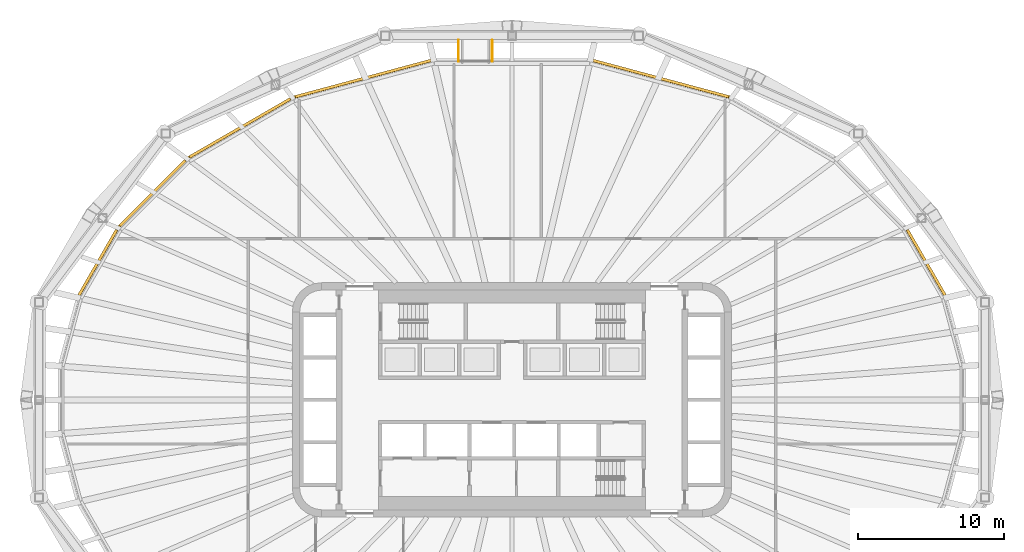
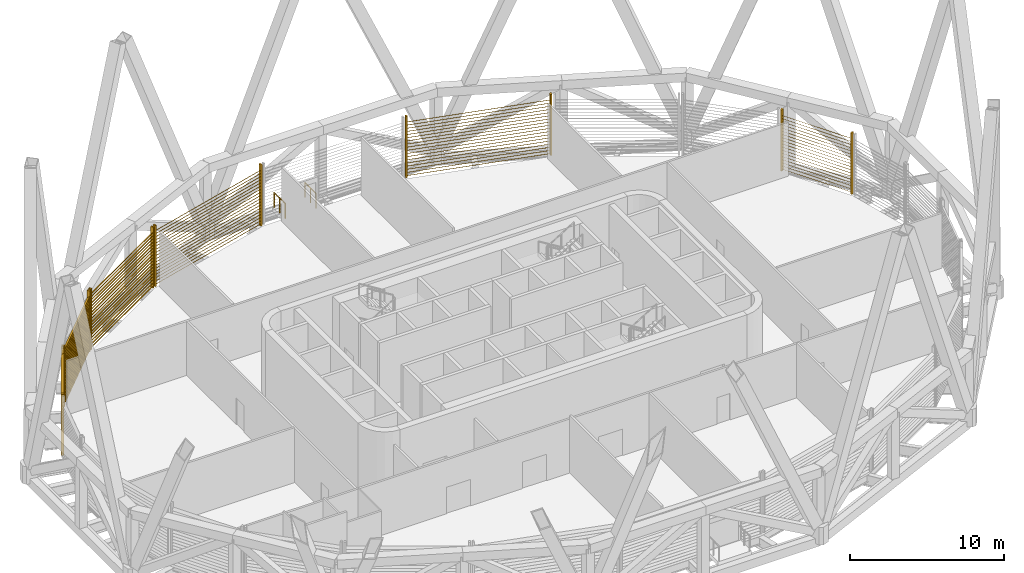
# One storey, part 16 of 18: 6 shading devices, 2 railings.
"""IFC4 building model written with IfcOpenShell, lengths in metres."""

from ifc_helpers import new_model, si_unit, direction, frame, origin, origin_2d, place, context, subcontext, project, spatial, rectangle, circle, extrude, material, type_object, element, save


model = new_model("IFC4")

# Units and contexts
model_context = context("Model", 3, precision=1e-05, world=origin(), true_north=direction((0.0, 1.0)))
body_context = subcontext(model_context, "Body", "Model", "MODEL_VIEW")
ifc_project = project(units=[si_unit("LENGTHUNIT", "METRE"), si_unit("AREAUNIT", "SQUARE_METRE"), si_unit("VOLUMEUNIT", "CUBIC_METRE"), si_unit("PLANEANGLEUNIT", "RADIAN"), si_unit("MASSUNIT", "GRAM", prefix="KILO")], contexts=[model_context])

# Site, building, storey
site_placement = place(None, origin())
site = spatial("IfcSite", under=ifc_project, at=site_placement, CompositionType="ELEMENT")
building_placement = place(site_placement, origin())
building = spatial("IfcBuilding", under=site, at=building_placement, Name="Sahrelin Media Tower", CompositionType="ELEMENT")
storey_placement = place(building_placement, frame((0.0, 0.0, 197.60009765625)))
storey = spatial("IfcBuildingStorey", under=building, at=storey_placement, Name="L42", CompositionType="ELEMENT", Elevation=197.60009765625)

# Railings
ifc_material_1 = material(Name="Stainless steel 316", Category="steel")
railing_type = type_object("IfcRailingType", Name="Maintenance platform guard", PredefinedType="GUARDRAIL", material=ifc_material_1)
for number, where, name in (
    (1, (-1.35009765625, 23.119140625, 0.0), "Maintenance platform guard L42-06-A"),
    (2, (-3.64990234375, 23.119140625, 0.0), "Maintenance platform guard L42-06-B"),
):
    element("IfcRailing", number, at=place(storey_placement, frame(where)), inside=storey, type_object=railing_type, Name=name, PredefinedType="GUARDRAIL", context=body_context, shape_type="SweptSolid", body=[
        extrude(circle(Radius=0.02392578125, at=origin_2d()), frame((0.0, 0.0, 1.17578125), z_axis=(0.0, 1.0, 0.0), x_axis=(-1.0, 0.0, 0.0)), (0.0, 0.0, 1.0), 1.43310546875),
        extrude(circle(Radius=0.02099609375, at=origin_2d()), origin(), (0.0, 0.0, 1.0), 1.15185546875),
        extrude(circle(Radius=0.02099609375, at=origin_2d()), frame((0.0, 0.716552734375, 0.0)), (0.0, 0.0, 1.0), 1.15185546875),
        extrude(circle(Radius=0.02099609375, at=origin_2d()), frame((0.0, 1.43310546875, 0.0)), (0.0, 0.0, 1.0), 1.15185546875),
    ])

# Shading devices
ifc_material_2 = material(Name="Champagne anodised aluminium 6063-T6", Category="aluminium")
shading_device_type = type_object("IfcShadingDeviceType", Name="Sand-rejection louvre band", PredefinedType="USERDEFINED", material=ifc_material_2)
shading_device_1_placement = place(storey_placement, frame((28.18408203125, 9.32470703125, 0.0), z_axis=(0.0, 0.0, 1.0), x_axis=(0.500011000363, -0.866019052629, 0.0)))
element("IfcShadingDevice", 3, at=shading_device_1_placement, inside=storey, type_object=shading_device_type, Name="L42:LOUVRE:L42-02", ObjectType="LOUVRE", PredefinedType="USERDEFINED", context=body_context, shape_type="SweptSolid", body=[
    extrude(rectangle(XDim=0.1201171875, YDim=0.199951171875, at=origin_2d()), frame((2.62890625, 0.10009765625, 0.050048828125), z_axis=(0.0, 0.0, 1.0), x_axis=(1.0, 0.0, 0.0)), (0.0, 0.0, 1.0), 4.8486328125),
    extrude(rectangle(XDim=0.1201171875, YDim=0.199951171875, at=origin_2d()), frame((-2.62890625, 0.10009765625, 0.050048828125), z_axis=(0.0, 0.0, 1.0), x_axis=(1.0, 0.0, 0.0)), (0.0, 0.0, 1.0), 4.8486328125),
    extrude(rectangle(XDim=0.25, YDim=0.02001953125, at=origin_2d()), frame((2.569091796875, 0.10009765625, 0.14990234375), z_axis=(-1.0, 0.0, 0.0), x_axis=(0.0, -0.766044443119, 0.642787609687)), (0.0, 0.0, 1.0), 5.13818359375),
    extrude(rectangle(XDim=0.25, YDim=0.02001953125, at=origin_2d()), frame((2.569091796875, 0.10009765625, 0.39990234375), z_axis=(-1.0, 0.0, 0.0), x_axis=(0.0, -0.766044443119, 0.642787609687)), (0.0, 0.0, 1.0), 5.13818359375),
    extrude(rectangle(XDim=0.25, YDim=0.02001953125, at=origin_2d()), frame((2.569091796875, 0.10009765625, 0.64990234375), z_axis=(-1.0, 0.0, 0.0), x_axis=(0.0, -0.766044443119, 0.642787609687)), (0.0, 0.0, 1.0), 5.13818359375),
    extrude(rectangle(XDim=0.25, YDim=0.02001953125, at=origin_2d()), frame((2.569091796875, 0.10009765625, 0.89990234375), z_axis=(-1.0, 0.0, 0.0), x_axis=(0.0, -0.766044443119, 0.642787609687)), (0.0, 0.0, 1.0), 5.13818359375),
    extrude(rectangle(XDim=0.25, YDim=0.02001953125, at=origin_2d()), frame((2.569091796875, 0.10009765625, 1.14990234375), z_axis=(-1.0, 0.0, 0.0), x_axis=(0.0, -0.766044443119, 0.642787609687)), (0.0, 0.0, 1.0), 5.13818359375),
    extrude(rectangle(XDim=0.25, YDim=0.02001953125, at=origin_2d()), frame((2.569091796875, 0.10009765625, 1.39990234375), z_axis=(-1.0, 0.0, 0.0), x_axis=(0.0, -0.766044443119, 0.642787609687)), (0.0, 0.0, 1.0), 5.13818359375),
    extrude(rectangle(XDim=0.25, YDim=0.02001953125, at=origin_2d()), frame((2.569091796875, 0.10009765625, 1.64990234375), z_axis=(-1.0, 0.0, 0.0), x_axis=(0.0, -0.766044443119, 0.642787609687)), (0.0, 0.0, 1.0), 5.13818359375),
    extrude(rectangle(XDim=0.25, YDim=0.02001953125, at=origin_2d()), frame((2.569091796875, 0.10009765625, 1.89990234375), z_axis=(-1.0, 0.0, 0.0), x_axis=(0.0, -0.766044443119, 0.642787609687)), (0.0, 0.0, 1.0), 5.13818359375),
    extrude(rectangle(XDim=0.25, YDim=0.02001953125, at=origin_2d()), frame((2.569091796875, 0.10009765625, 2.14990234375), z_axis=(-1.0, 0.0, 0.0), x_axis=(0.0, -0.766044443119, 0.642787609687)), (0.0, 0.0, 1.0), 5.13818359375),
    extrude(rectangle(XDim=0.25, YDim=0.02001953125, at=origin_2d()), frame((2.569091796875, 0.10009765625, 2.39990234375), z_axis=(-1.0, 0.0, 0.0), x_axis=(0.0, -0.766044443119, 0.642787609687)), (0.0, 0.0, 1.0), 5.13818359375),
    extrude(rectangle(XDim=0.25, YDim=0.02001953125, at=origin_2d()), frame((2.569091796875, 0.10009765625, 2.64990234375), z_axis=(-1.0, 0.0, 0.0), x_axis=(0.0, -0.766044443119, 0.642787609687)), (0.0, 0.0, 1.0), 5.13818359375),
    extrude(rectangle(XDim=0.25, YDim=0.02001953125, at=origin_2d()), frame((2.569091796875, 0.10009765625, 2.89990234375), z_axis=(-1.0, 0.0, 0.0), x_axis=(0.0, -0.766044443119, 0.642787609687)), (0.0, 0.0, 1.0), 5.13818359375),
    extrude(rectangle(XDim=0.25, YDim=0.02001953125, at=origin_2d()), frame((2.569091796875, 0.10009765625, 3.14990234375), z_axis=(-1.0, 0.0, 0.0), x_axis=(0.0, -0.766044443119, 0.642787609687)), (0.0, 0.0, 1.0), 5.13818359375),
    extrude(rectangle(XDim=0.25, YDim=0.02001953125, at=origin_2d()), frame((2.569091796875, 0.10009765625, 3.39990234375), z_axis=(-1.0, 0.0, 0.0), x_axis=(0.0, -0.766044443119, 0.642787609687)), (0.0, 0.0, 1.0), 5.13818359375),
    extrude(rectangle(XDim=0.25, YDim=0.02001953125, at=origin_2d()), frame((2.569091796875, 0.10009765625, 3.64990234375), z_axis=(-1.0, 0.0, 0.0), x_axis=(0.0, -0.766044443119, 0.642787609687)), (0.0, 0.0, 1.0), 5.13818359375),
    extrude(rectangle(XDim=0.25, YDim=0.02001953125, at=origin_2d()), frame((2.569091796875, 0.10009765625, 3.89990234375), z_axis=(-1.0, 0.0, 0.0), x_axis=(0.0, -0.766044443119, 0.642787609687)), (0.0, 0.0, 1.0), 5.13818359375),
    extrude(rectangle(XDim=0.25, YDim=0.02001953125, at=origin_2d()), frame((2.569091796875, 0.10009765625, 4.14990234375), z_axis=(-1.0, 0.0, 0.0), x_axis=(0.0, -0.766044443119, 0.642787609687)), (0.0, 0.0, 1.0), 5.13818359375),
    extrude(rectangle(XDim=0.25, YDim=0.02001953125, at=origin_2d()), frame((2.569091796875, 0.10009765625, 4.39990234375), z_axis=(-1.0, 0.0, 0.0), x_axis=(0.0, -0.766044443119, 0.642787609687)), (0.0, 0.0, 1.0), 5.13818359375),
])
shading_device_2_placement = place(storey_placement, frame((10.13037109375, 21.83349609375, 0.0), z_axis=(0.0, 0.0, 1.0), x_axis=(0.965928857556, -0.258807731996, 0.0)))
element("IfcShadingDevice", 4, at=shading_device_2_placement, inside=storey, type_object=shading_device_type, Name="L42:LOUVRE:L42-05", ObjectType="LOUVRE", PredefinedType="USERDEFINED", context=body_context, shape_type="SweptSolid", body=[
    extrude(rectangle(XDim=0.1201171875, YDim=0.199951171875, at=origin_2d()), frame((4.857177734375, 0.10009765625, 0.050048828125), z_axis=(0.0, 0.0, 1.0), x_axis=(1.0, 0.0, 0.0)), (0.0, 0.0, 1.0), 4.8486328125),
    extrude(rectangle(XDim=0.1201171875, YDim=0.199951171875, at=origin_2d()), frame((-4.857177734375, 0.10009765625, 0.050048828125), z_axis=(0.0, 0.0, 1.0), x_axis=(1.0, 0.0, 0.0)), (0.0, 0.0, 1.0), 4.8486328125),
    extrude(rectangle(XDim=0.25, YDim=0.02001953125, at=origin_2d()), frame((4.797119140625, 0.10009765625, 0.14990234375), z_axis=(-1.0, 0.0, 0.0), x_axis=(0.0, -0.766044443119, 0.642787609687)), (0.0, 0.0, 1.0), 9.59423828125),
    extrude(rectangle(XDim=0.25, YDim=0.02001953125, at=origin_2d()), frame((4.797119140625, 0.10009765625, 0.39990234375), z_axis=(-1.0, 0.0, 0.0), x_axis=(0.0, -0.766044443119, 0.642787609687)), (0.0, 0.0, 1.0), 9.59423828125),
    extrude(rectangle(XDim=0.25, YDim=0.02001953125, at=origin_2d()), frame((4.797119140625, 0.10009765625, 0.64990234375), z_axis=(-1.0, 0.0, 0.0), x_axis=(0.0, -0.766044443119, 0.642787609687)), (0.0, 0.0, 1.0), 9.59423828125),
    extrude(rectangle(XDim=0.25, YDim=0.02001953125, at=origin_2d()), frame((4.797119140625, 0.10009765625, 0.89990234375), z_axis=(-1.0, 0.0, 0.0), x_axis=(0.0, -0.766044443119, 0.642787609687)), (0.0, 0.0, 1.0), 9.59423828125),
    extrude(rectangle(XDim=0.25, YDim=0.02001953125, at=origin_2d()), frame((4.797119140625, 0.10009765625, 1.14990234375), z_axis=(-1.0, 0.0, 0.0), x_axis=(0.0, -0.766044443119, 0.642787609687)), (0.0, 0.0, 1.0), 9.59423828125),
    extrude(rectangle(XDim=0.25, YDim=0.02001953125, at=origin_2d()), frame((4.797119140625, 0.10009765625, 1.39990234375), z_axis=(-1.0, 0.0, 0.0), x_axis=(0.0, -0.766044443119, 0.642787609687)), (0.0, 0.0, 1.0), 9.59423828125),
    extrude(rectangle(XDim=0.25, YDim=0.02001953125, at=origin_2d()), frame((4.797119140625, 0.10009765625, 1.64990234375), z_axis=(-1.0, 0.0, 0.0), x_axis=(0.0, -0.766044443119, 0.642787609687)), (0.0, 0.0, 1.0), 9.59423828125),
    extrude(rectangle(XDim=0.25, YDim=0.02001953125, at=origin_2d()), frame((4.797119140625, 0.10009765625, 1.89990234375), z_axis=(-1.0, 0.0, 0.0), x_axis=(0.0, -0.766044443119, 0.642787609687)), (0.0, 0.0, 1.0), 9.59423828125),
    extrude(rectangle(XDim=0.25, YDim=0.02001953125, at=origin_2d()), frame((4.797119140625, 0.10009765625, 2.14990234375), z_axis=(-1.0, 0.0, 0.0), x_axis=(0.0, -0.766044443119, 0.642787609687)), (0.0, 0.0, 1.0), 9.59423828125),
    extrude(rectangle(XDim=0.25, YDim=0.02001953125, at=origin_2d()), frame((4.797119140625, 0.10009765625, 2.39990234375), z_axis=(-1.0, 0.0, 0.0), x_axis=(0.0, -0.766044443119, 0.642787609687)), (0.0, 0.0, 1.0), 9.59423828125),
    extrude(rectangle(XDim=0.25, YDim=0.02001953125, at=origin_2d()), frame((4.797119140625, 0.10009765625, 2.64990234375), z_axis=(-1.0, 0.0, 0.0), x_axis=(0.0, -0.766044443119, 0.642787609687)), (0.0, 0.0, 1.0), 9.59423828125),
    extrude(rectangle(XDim=0.25, YDim=0.02001953125, at=origin_2d()), frame((4.797119140625, 0.10009765625, 2.89990234375), z_axis=(-1.0, 0.0, 0.0), x_axis=(0.0, -0.766044443119, 0.642787609687)), (0.0, 0.0, 1.0), 9.59423828125),
    extrude(rectangle(XDim=0.25, YDim=0.02001953125, at=origin_2d()), frame((4.797119140625, 0.10009765625, 3.14990234375), z_axis=(-1.0, 0.0, 0.0), x_axis=(0.0, -0.766044443119, 0.642787609687)), (0.0, 0.0, 1.0), 9.59423828125),
    extrude(rectangle(XDim=0.25, YDim=0.02001953125, at=origin_2d()), frame((4.797119140625, 0.10009765625, 3.39990234375), z_axis=(-1.0, 0.0, 0.0), x_axis=(0.0, -0.766044443119, 0.642787609687)), (0.0, 0.0, 1.0), 9.59423828125),
    extrude(rectangle(XDim=0.25, YDim=0.02001953125, at=origin_2d()), frame((4.797119140625, 0.10009765625, 3.64990234375), z_axis=(-1.0, 0.0, 0.0), x_axis=(0.0, -0.766044443119, 0.642787609687)), (0.0, 0.0, 1.0), 9.59423828125),
    extrude(rectangle(XDim=0.25, YDim=0.02001953125, at=origin_2d()), frame((4.797119140625, 0.10009765625, 3.89990234375), z_axis=(-1.0, 0.0, 0.0), x_axis=(0.0, -0.766044443119, 0.642787609687)), (0.0, 0.0, 1.0), 9.59423828125),
    extrude(rectangle(XDim=0.25, YDim=0.02001953125, at=origin_2d()), frame((4.797119140625, 0.10009765625, 4.14990234375), z_axis=(-1.0, 0.0, 0.0), x_axis=(0.0, -0.766044443119, 0.642787609687)), (0.0, 0.0, 1.0), 9.59423828125),
    extrude(rectangle(XDim=0.25, YDim=0.02001953125, at=origin_2d()), frame((4.797119140625, 0.10009765625, 4.39990234375), z_axis=(-1.0, 0.0, 0.0), x_axis=(0.0, -0.766044443119, 0.642787609687)), (0.0, 0.0, 1.0), 9.59423828125),
])
shading_device_3_placement = place(storey_placement, frame((-10.13037109375, 21.83349609375, 0.0), z_axis=(0.0, 0.0, 1.0), x_axis=(0.965928857556, 0.258807731996, 0.0)))
element("IfcShadingDevice", 5, at=shading_device_3_placement, inside=storey, type_object=shading_device_type, Name="L42:LOUVRE:L42-07", ObjectType="LOUVRE", PredefinedType="USERDEFINED", context=body_context, shape_type="SweptSolid", body=[
    extrude(rectangle(XDim=0.1201171875, YDim=0.199951171875, at=origin_2d()), frame((4.857177734375, 0.10009765625, 0.050048828125), z_axis=(0.0, 0.0, 1.0), x_axis=(1.0, 0.0, 0.0)), (0.0, 0.0, 1.0), 4.8486328125),
    extrude(rectangle(XDim=0.1201171875, YDim=0.199951171875, at=origin_2d()), frame((-4.857177734375, 0.10009765625, 0.050048828125), z_axis=(0.0, 0.0, 1.0), x_axis=(1.0, 0.0, 0.0)), (0.0, 0.0, 1.0), 4.8486328125),
    extrude(rectangle(XDim=0.25, YDim=0.02001953125, at=origin_2d()), frame((4.797119140625, 0.10009765625, 0.14990234375), z_axis=(-1.0, 0.0, 0.0), x_axis=(0.0, -0.766044443119, 0.642787609687)), (0.0, 0.0, 1.0), 9.59423828125),
    extrude(rectangle(XDim=0.25, YDim=0.02001953125, at=origin_2d()), frame((4.797119140625, 0.10009765625, 0.39990234375), z_axis=(-1.0, 0.0, 0.0), x_axis=(0.0, -0.766044443119, 0.642787609687)), (0.0, 0.0, 1.0), 9.59423828125),
    extrude(rectangle(XDim=0.25, YDim=0.02001953125, at=origin_2d()), frame((4.797119140625, 0.10009765625, 0.64990234375), z_axis=(-1.0, 0.0, 0.0), x_axis=(0.0, -0.766044443119, 0.642787609687)), (0.0, 0.0, 1.0), 9.59423828125),
    extrude(rectangle(XDim=0.25, YDim=0.02001953125, at=origin_2d()), frame((4.797119140625, 0.10009765625, 0.89990234375), z_axis=(-1.0, 0.0, 0.0), x_axis=(0.0, -0.766044443119, 0.642787609687)), (0.0, 0.0, 1.0), 9.59423828125),
    extrude(rectangle(XDim=0.25, YDim=0.02001953125, at=origin_2d()), frame((4.797119140625, 0.10009765625, 1.14990234375), z_axis=(-1.0, 0.0, 0.0), x_axis=(0.0, -0.766044443119, 0.642787609687)), (0.0, 0.0, 1.0), 9.59423828125),
    extrude(rectangle(XDim=0.25, YDim=0.02001953125, at=origin_2d()), frame((4.797119140625, 0.10009765625, 1.39990234375), z_axis=(-1.0, 0.0, 0.0), x_axis=(0.0, -0.766044443119, 0.642787609687)), (0.0, 0.0, 1.0), 9.59423828125),
    extrude(rectangle(XDim=0.25, YDim=0.02001953125, at=origin_2d()), frame((4.797119140625, 0.10009765625, 1.64990234375), z_axis=(-1.0, 0.0, 0.0), x_axis=(0.0, -0.766044443119, 0.642787609687)), (0.0, 0.0, 1.0), 9.59423828125),
    extrude(rectangle(XDim=0.25, YDim=0.02001953125, at=origin_2d()), frame((4.797119140625, 0.10009765625, 1.89990234375), z_axis=(-1.0, 0.0, 0.0), x_axis=(0.0, -0.766044443119, 0.642787609687)), (0.0, 0.0, 1.0), 9.59423828125),
    extrude(rectangle(XDim=0.25, YDim=0.02001953125, at=origin_2d()), frame((4.797119140625, 0.10009765625, 2.14990234375), z_axis=(-1.0, 0.0, 0.0), x_axis=(0.0, -0.766044443119, 0.642787609687)), (0.0, 0.0, 1.0), 9.59423828125),
    extrude(rectangle(XDim=0.25, YDim=0.02001953125, at=origin_2d()), frame((4.797119140625, 0.10009765625, 2.39990234375), z_axis=(-1.0, 0.0, 0.0), x_axis=(0.0, -0.766044443119, 0.642787609687)), (0.0, 0.0, 1.0), 9.59423828125),
    extrude(rectangle(XDim=0.25, YDim=0.02001953125, at=origin_2d()), frame((4.797119140625, 0.10009765625, 2.64990234375), z_axis=(-1.0, 0.0, 0.0), x_axis=(0.0, -0.766044443119, 0.642787609687)), (0.0, 0.0, 1.0), 9.59423828125),
    extrude(rectangle(XDim=0.25, YDim=0.02001953125, at=origin_2d()), frame((4.797119140625, 0.10009765625, 2.89990234375), z_axis=(-1.0, 0.0, 0.0), x_axis=(0.0, -0.766044443119, 0.642787609687)), (0.0, 0.0, 1.0), 9.59423828125),
    extrude(rectangle(XDim=0.25, YDim=0.02001953125, at=origin_2d()), frame((4.797119140625, 0.10009765625, 3.14990234375), z_axis=(-1.0, 0.0, 0.0), x_axis=(0.0, -0.766044443119, 0.642787609687)), (0.0, 0.0, 1.0), 9.59423828125),
    extrude(rectangle(XDim=0.25, YDim=0.02001953125, at=origin_2d()), frame((4.797119140625, 0.10009765625, 3.39990234375), z_axis=(-1.0, 0.0, 0.0), x_axis=(0.0, -0.766044443119, 0.642787609687)), (0.0, 0.0, 1.0), 9.59423828125),
    extrude(rectangle(XDim=0.25, YDim=0.02001953125, at=origin_2d()), frame((4.797119140625, 0.10009765625, 3.64990234375), z_axis=(-1.0, 0.0, 0.0), x_axis=(0.0, -0.766044443119, 0.642787609687)), (0.0, 0.0, 1.0), 9.59423828125),
    extrude(rectangle(XDim=0.25, YDim=0.02001953125, at=origin_2d()), frame((4.797119140625, 0.10009765625, 3.89990234375), z_axis=(-1.0, 0.0, 0.0), x_axis=(0.0, -0.766044443119, 0.642787609687)), (0.0, 0.0, 1.0), 9.59423828125),
    extrude(rectangle(XDim=0.25, YDim=0.02001953125, at=origin_2d()), frame((4.797119140625, 0.10009765625, 4.14990234375), z_axis=(-1.0, 0.0, 0.0), x_axis=(0.0, -0.766044443119, 0.642787609687)), (0.0, 0.0, 1.0), 9.59423828125),
    extrude(rectangle(XDim=0.25, YDim=0.02001953125, at=origin_2d()), frame((4.797119140625, 0.10009765625, 4.39990234375), z_axis=(-1.0, 0.0, 0.0), x_axis=(0.0, -0.766044443119, 0.642787609687)), (0.0, 0.0, 1.0), 9.59423828125),
])
shading_device_4_placement = place(storey_placement, frame((-18.518798828125, 18.47509765625, 0.0), z_axis=(0.0, 0.0, 1.0), x_axis=(0.866019052629, 0.500011000363, 0.0)))
element("IfcShadingDevice", 6, at=shading_device_4_placement, inside=storey, type_object=shading_device_type, Name="L42:LOUVRE:L42-08", ObjectType="LOUVRE", PredefinedType="USERDEFINED", context=body_context, shape_type="SweptSolid", body=[
    extrude(rectangle(XDim=0.1201171875, YDim=0.199951171875, at=origin_2d()), frame((4.035888671875, 0.10009765625, 0.050048828125), z_axis=(0.0, 0.0, 1.0), x_axis=(1.0, 0.0, 0.0)), (0.0, 0.0, 1.0), 4.8486328125),
    extrude(rectangle(XDim=0.1201171875, YDim=0.199951171875, at=origin_2d()), frame((-4.035888671875, 0.10009765625, 0.050048828125), z_axis=(0.0, 0.0, 1.0), x_axis=(1.0, 0.0, 0.0)), (0.0, 0.0, 1.0), 4.8486328125),
    extrude(rectangle(XDim=0.25, YDim=0.02001953125, at=origin_2d()), frame((3.975830078125, 0.10009765625, 0.14990234375), z_axis=(-1.0, 0.0, 0.0), x_axis=(0.0, -0.766044443119, 0.642787609687)), (0.0, 0.0, 1.0), 7.95166015625),
    extrude(rectangle(XDim=0.25, YDim=0.02001953125, at=origin_2d()), frame((3.975830078125, 0.10009765625, 0.39990234375), z_axis=(-1.0, 0.0, 0.0), x_axis=(0.0, -0.766044443119, 0.642787609687)), (0.0, 0.0, 1.0), 7.95166015625),
    extrude(rectangle(XDim=0.25, YDim=0.02001953125, at=origin_2d()), frame((3.975830078125, 0.10009765625, 0.64990234375), z_axis=(-1.0, 0.0, 0.0), x_axis=(0.0, -0.766044443119, 0.642787609687)), (0.0, 0.0, 1.0), 7.95166015625),
    extrude(rectangle(XDim=0.25, YDim=0.02001953125, at=origin_2d()), frame((3.975830078125, 0.10009765625, 0.89990234375), z_axis=(-1.0, 0.0, 0.0), x_axis=(0.0, -0.766044443119, 0.642787609687)), (0.0, 0.0, 1.0), 7.95166015625),
    extrude(rectangle(XDim=0.25, YDim=0.02001953125, at=origin_2d()), frame((3.975830078125, 0.10009765625, 1.14990234375), z_axis=(-1.0, 0.0, 0.0), x_axis=(0.0, -0.766044443119, 0.642787609687)), (0.0, 0.0, 1.0), 7.95166015625),
    extrude(rectangle(XDim=0.25, YDim=0.02001953125, at=origin_2d()), frame((3.975830078125, 0.10009765625, 1.39990234375), z_axis=(-1.0, 0.0, 0.0), x_axis=(0.0, -0.766044443119, 0.642787609687)), (0.0, 0.0, 1.0), 7.95166015625),
    extrude(rectangle(XDim=0.25, YDim=0.02001953125, at=origin_2d()), frame((3.975830078125, 0.10009765625, 1.64990234375), z_axis=(-1.0, 0.0, 0.0), x_axis=(0.0, -0.766044443119, 0.642787609687)), (0.0, 0.0, 1.0), 7.95166015625),
    extrude(rectangle(XDim=0.25, YDim=0.02001953125, at=origin_2d()), frame((3.975830078125, 0.10009765625, 1.89990234375), z_axis=(-1.0, 0.0, 0.0), x_axis=(0.0, -0.766044443119, 0.642787609687)), (0.0, 0.0, 1.0), 7.95166015625),
    extrude(rectangle(XDim=0.25, YDim=0.02001953125, at=origin_2d()), frame((3.975830078125, 0.10009765625, 2.14990234375), z_axis=(-1.0, 0.0, 0.0), x_axis=(0.0, -0.766044443119, 0.642787609687)), (0.0, 0.0, 1.0), 7.95166015625),
    extrude(rectangle(XDim=0.25, YDim=0.02001953125, at=origin_2d()), frame((3.975830078125, 0.10009765625, 2.39990234375), z_axis=(-1.0, 0.0, 0.0), x_axis=(0.0, -0.766044443119, 0.642787609687)), (0.0, 0.0, 1.0), 7.95166015625),
    extrude(rectangle(XDim=0.25, YDim=0.02001953125, at=origin_2d()), frame((3.975830078125, 0.10009765625, 2.64990234375), z_axis=(-1.0, 0.0, 0.0), x_axis=(0.0, -0.766044443119, 0.642787609687)), (0.0, 0.0, 1.0), 7.95166015625),
    extrude(rectangle(XDim=0.25, YDim=0.02001953125, at=origin_2d()), frame((3.975830078125, 0.10009765625, 2.89990234375), z_axis=(-1.0, 0.0, 0.0), x_axis=(0.0, -0.766044443119, 0.642787609687)), (0.0, 0.0, 1.0), 7.95166015625),
    extrude(rectangle(XDim=0.25, YDim=0.02001953125, at=origin_2d()), frame((3.975830078125, 0.10009765625, 3.14990234375), z_axis=(-1.0, 0.0, 0.0), x_axis=(0.0, -0.766044443119, 0.642787609687)), (0.0, 0.0, 1.0), 7.95166015625),
    extrude(rectangle(XDim=0.25, YDim=0.02001953125, at=origin_2d()), frame((3.975830078125, 0.10009765625, 3.39990234375), z_axis=(-1.0, 0.0, 0.0), x_axis=(0.0, -0.766044443119, 0.642787609687)), (0.0, 0.0, 1.0), 7.95166015625),
    extrude(rectangle(XDim=0.25, YDim=0.02001953125, at=origin_2d()), frame((3.975830078125, 0.10009765625, 3.64990234375), z_axis=(-1.0, 0.0, 0.0), x_axis=(0.0, -0.766044443119, 0.642787609687)), (0.0, 0.0, 1.0), 7.95166015625),
    extrude(rectangle(XDim=0.25, YDim=0.02001953125, at=origin_2d()), frame((3.975830078125, 0.10009765625, 3.89990234375), z_axis=(-1.0, 0.0, 0.0), x_axis=(0.0, -0.766044443119, 0.642787609687)), (0.0, 0.0, 1.0), 7.95166015625),
    extrude(rectangle(XDim=0.25, YDim=0.02001953125, at=origin_2d()), frame((3.975830078125, 0.10009765625, 4.14990234375), z_axis=(-1.0, 0.0, 0.0), x_axis=(0.0, -0.766044443119, 0.642787609687)), (0.0, 0.0, 1.0), 7.95166015625),
    extrude(rectangle(XDim=0.25, YDim=0.02001953125, at=origin_2d()), frame((3.975830078125, 0.10009765625, 4.39990234375), z_axis=(-1.0, 0.0, 0.0), x_axis=(0.0, -0.766044443119, 0.642787609687)), (0.0, 0.0, 1.0), 7.95166015625),
])
shading_device_5_placement = place(storey_placement, frame((-24.4619140625, 14.04931640625, 0.0), z_axis=(0.0, 0.0, 1.0), x_axis=(0.707106781187, 0.707106781187, 0.0)))
element("IfcShadingDevice", 7, at=shading_device_5_placement, inside=storey, type_object=shading_device_type, Name="L42:LOUVRE:L42-09", ObjectType="LOUVRE", PredefinedType="USERDEFINED", context=body_context, shape_type="SweptSolid", body=[
    extrude(rectangle(XDim=0.1201171875, YDim=0.199951171875, at=origin_2d()), frame((3.21728515625, 0.10009765625, 0.050048828125), z_axis=(0.0, 0.0, 1.0), x_axis=(1.0, 0.0, 0.0)), (0.0, 0.0, 1.0), 4.8486328125),
    extrude(rectangle(XDim=0.1201171875, YDim=0.199951171875, at=origin_2d()), frame((-3.21728515625, 0.10009765625, 0.050048828125), z_axis=(0.0, 0.0, 1.0), x_axis=(1.0, 0.0, 0.0)), (0.0, 0.0, 1.0), 4.8486328125),
    extrude(rectangle(XDim=0.25, YDim=0.02001953125, at=origin_2d()), frame((3.1572265625, 0.10009765625, 0.14990234375), z_axis=(-1.0, 0.0, 0.0), x_axis=(0.0, -0.766044443119, 0.642787609687)), (0.0, 0.0, 1.0), 6.314453125),
    extrude(rectangle(XDim=0.25, YDim=0.02001953125, at=origin_2d()), frame((3.1572265625, 0.10009765625, 0.39990234375), z_axis=(-1.0, 0.0, 0.0), x_axis=(0.0, -0.766044443119, 0.642787609687)), (0.0, 0.0, 1.0), 6.314453125),
    extrude(rectangle(XDim=0.25, YDim=0.02001953125, at=origin_2d()), frame((3.1572265625, 0.10009765625, 0.64990234375), z_axis=(-1.0, 0.0, 0.0), x_axis=(0.0, -0.766044443119, 0.642787609687)), (0.0, 0.0, 1.0), 6.314453125),
    extrude(rectangle(XDim=0.25, YDim=0.02001953125, at=origin_2d()), frame((3.1572265625, 0.10009765625, 0.89990234375), z_axis=(-1.0, 0.0, 0.0), x_axis=(0.0, -0.766044443119, 0.642787609687)), (0.0, 0.0, 1.0), 6.314453125),
    extrude(rectangle(XDim=0.25, YDim=0.02001953125, at=origin_2d()), frame((3.1572265625, 0.10009765625, 1.14990234375), z_axis=(-1.0, 0.0, 0.0), x_axis=(0.0, -0.766044443119, 0.642787609687)), (0.0, 0.0, 1.0), 6.314453125),
    extrude(rectangle(XDim=0.25, YDim=0.02001953125, at=origin_2d()), frame((3.1572265625, 0.10009765625, 1.39990234375), z_axis=(-1.0, 0.0, 0.0), x_axis=(0.0, -0.766044443119, 0.642787609687)), (0.0, 0.0, 1.0), 6.314453125),
    extrude(rectangle(XDim=0.25, YDim=0.02001953125, at=origin_2d()), frame((3.1572265625, 0.10009765625, 1.64990234375), z_axis=(-1.0, 0.0, 0.0), x_axis=(0.0, -0.766044443119, 0.642787609687)), (0.0, 0.0, 1.0), 6.314453125),
    extrude(rectangle(XDim=0.25, YDim=0.02001953125, at=origin_2d()), frame((3.1572265625, 0.10009765625, 1.89990234375), z_axis=(-1.0, 0.0, 0.0), x_axis=(0.0, -0.766044443119, 0.642787609687)), (0.0, 0.0, 1.0), 6.314453125),
    extrude(rectangle(XDim=0.25, YDim=0.02001953125, at=origin_2d()), frame((3.1572265625, 0.10009765625, 2.14990234375), z_axis=(-1.0, 0.0, 0.0), x_axis=(0.0, -0.766044443119, 0.642787609687)), (0.0, 0.0, 1.0), 6.314453125),
    extrude(rectangle(XDim=0.25, YDim=0.02001953125, at=origin_2d()), frame((3.1572265625, 0.10009765625, 2.39990234375), z_axis=(-1.0, 0.0, 0.0), x_axis=(0.0, -0.766044443119, 0.642787609687)), (0.0, 0.0, 1.0), 6.314453125),
    extrude(rectangle(XDim=0.25, YDim=0.02001953125, at=origin_2d()), frame((3.1572265625, 0.10009765625, 2.64990234375), z_axis=(-1.0, 0.0, 0.0), x_axis=(0.0, -0.766044443119, 0.642787609687)), (0.0, 0.0, 1.0), 6.314453125),
    extrude(rectangle(XDim=0.25, YDim=0.02001953125, at=origin_2d()), frame((3.1572265625, 0.10009765625, 2.89990234375), z_axis=(-1.0, 0.0, 0.0), x_axis=(0.0, -0.766044443119, 0.642787609687)), (0.0, 0.0, 1.0), 6.314453125),
    extrude(rectangle(XDim=0.25, YDim=0.02001953125, at=origin_2d()), frame((3.1572265625, 0.10009765625, 3.14990234375), z_axis=(-1.0, 0.0, 0.0), x_axis=(0.0, -0.766044443119, 0.642787609687)), (0.0, 0.0, 1.0), 6.314453125),
    extrude(rectangle(XDim=0.25, YDim=0.02001953125, at=origin_2d()), frame((3.1572265625, 0.10009765625, 3.39990234375), z_axis=(-1.0, 0.0, 0.0), x_axis=(0.0, -0.766044443119, 0.642787609687)), (0.0, 0.0, 1.0), 6.314453125),
    extrude(rectangle(XDim=0.25, YDim=0.02001953125, at=origin_2d()), frame((3.1572265625, 0.10009765625, 3.64990234375), z_axis=(-1.0, 0.0, 0.0), x_axis=(0.0, -0.766044443119, 0.642787609687)), (0.0, 0.0, 1.0), 6.314453125),
    extrude(rectangle(XDim=0.25, YDim=0.02001953125, at=origin_2d()), frame((3.1572265625, 0.10009765625, 3.89990234375), z_axis=(-1.0, 0.0, 0.0), x_axis=(0.0, -0.766044443119, 0.642787609687)), (0.0, 0.0, 1.0), 6.314453125),
    extrude(rectangle(XDim=0.25, YDim=0.02001953125, at=origin_2d()), frame((3.1572265625, 0.10009765625, 4.14990234375), z_axis=(-1.0, 0.0, 0.0), x_axis=(0.0, -0.766044443119, 0.642787609687)), (0.0, 0.0, 1.0), 6.314453125),
    extrude(rectangle(XDim=0.25, YDim=0.02001953125, at=origin_2d()), frame((3.1572265625, 0.10009765625, 4.39990234375), z_axis=(-1.0, 0.0, 0.0), x_axis=(0.0, -0.766044443119, 0.642787609687)), (0.0, 0.0, 1.0), 6.314453125),
])
shading_device_6_placement = place(storey_placement, frame((-28.18408203125, 9.32470703125, 0.0), z_axis=(0.0, 0.0, 1.0), x_axis=(0.500011000363, 0.866019052629, 0.0)))
element("IfcShadingDevice", 8, at=shading_device_6_placement, inside=storey, type_object=shading_device_type, Name="L42:LOUVRE:L42-10", ObjectType="LOUVRE", PredefinedType="USERDEFINED", context=body_context, shape_type="SweptSolid", body=[
    extrude(rectangle(XDim=0.1201171875, YDim=0.199951171875, at=origin_2d()), frame((2.62890625, 0.10009765625, 0.050048828125), z_axis=(0.0, 0.0, 1.0), x_axis=(1.0, 0.0, 0.0)), (0.0, 0.0, 1.0), 4.8486328125),
    extrude(rectangle(XDim=0.1201171875, YDim=0.199951171875, at=origin_2d()), frame((-2.62890625, 0.10009765625, 0.050048828125), z_axis=(0.0, 0.0, 1.0), x_axis=(1.0, 0.0, 0.0)), (0.0, 0.0, 1.0), 4.8486328125),
    extrude(rectangle(XDim=0.25, YDim=0.02001953125, at=origin_2d()), frame((2.569091796875, 0.10009765625, 0.14990234375), z_axis=(-1.0, 0.0, 0.0), x_axis=(0.0, -0.766044443119, 0.642787609687)), (0.0, 0.0, 1.0), 5.13818359375),
    extrude(rectangle(XDim=0.25, YDim=0.02001953125, at=origin_2d()), frame((2.569091796875, 0.10009765625, 0.39990234375), z_axis=(-1.0, 0.0, 0.0), x_axis=(0.0, -0.766044443119, 0.642787609687)), (0.0, 0.0, 1.0), 5.13818359375),
    extrude(rectangle(XDim=0.25, YDim=0.02001953125, at=origin_2d()), frame((2.569091796875, 0.10009765625, 0.64990234375), z_axis=(-1.0, 0.0, 0.0), x_axis=(0.0, -0.766044443119, 0.642787609687)), (0.0, 0.0, 1.0), 5.13818359375),
    extrude(rectangle(XDim=0.25, YDim=0.02001953125, at=origin_2d()), frame((2.569091796875, 0.10009765625, 0.89990234375), z_axis=(-1.0, 0.0, 0.0), x_axis=(0.0, -0.766044443119, 0.642787609687)), (0.0, 0.0, 1.0), 5.13818359375),
    extrude(rectangle(XDim=0.25, YDim=0.02001953125, at=origin_2d()), frame((2.569091796875, 0.10009765625, 1.14990234375), z_axis=(-1.0, 0.0, 0.0), x_axis=(0.0, -0.766044443119, 0.642787609687)), (0.0, 0.0, 1.0), 5.13818359375),
    extrude(rectangle(XDim=0.25, YDim=0.02001953125, at=origin_2d()), frame((2.569091796875, 0.10009765625, 1.39990234375), z_axis=(-1.0, 0.0, 0.0), x_axis=(0.0, -0.766044443119, 0.642787609687)), (0.0, 0.0, 1.0), 5.13818359375),
    extrude(rectangle(XDim=0.25, YDim=0.02001953125, at=origin_2d()), frame((2.569091796875, 0.10009765625, 1.64990234375), z_axis=(-1.0, 0.0, 0.0), x_axis=(0.0, -0.766044443119, 0.642787609687)), (0.0, 0.0, 1.0), 5.13818359375),
    extrude(rectangle(XDim=0.25, YDim=0.02001953125, at=origin_2d()), frame((2.569091796875, 0.10009765625, 1.89990234375), z_axis=(-1.0, 0.0, 0.0), x_axis=(0.0, -0.766044443119, 0.642787609687)), (0.0, 0.0, 1.0), 5.13818359375),
    extrude(rectangle(XDim=0.25, YDim=0.02001953125, at=origin_2d()), frame((2.569091796875, 0.10009765625, 2.14990234375), z_axis=(-1.0, 0.0, 0.0), x_axis=(0.0, -0.766044443119, 0.642787609687)), (0.0, 0.0, 1.0), 5.13818359375),
    extrude(rectangle(XDim=0.25, YDim=0.02001953125, at=origin_2d()), frame((2.569091796875, 0.10009765625, 2.39990234375), z_axis=(-1.0, 0.0, 0.0), x_axis=(0.0, -0.766044443119, 0.642787609687)), (0.0, 0.0, 1.0), 5.13818359375),
    extrude(rectangle(XDim=0.25, YDim=0.02001953125, at=origin_2d()), frame((2.569091796875, 0.10009765625, 2.64990234375), z_axis=(-1.0, 0.0, 0.0), x_axis=(0.0, -0.766044443119, 0.642787609687)), (0.0, 0.0, 1.0), 5.13818359375),
    extrude(rectangle(XDim=0.25, YDim=0.02001953125, at=origin_2d()), frame((2.569091796875, 0.10009765625, 2.89990234375), z_axis=(-1.0, 0.0, 0.0), x_axis=(0.0, -0.766044443119, 0.642787609687)), (0.0, 0.0, 1.0), 5.13818359375),
    extrude(rectangle(XDim=0.25, YDim=0.02001953125, at=origin_2d()), frame((2.569091796875, 0.10009765625, 3.14990234375), z_axis=(-1.0, 0.0, 0.0), x_axis=(0.0, -0.766044443119, 0.642787609687)), (0.0, 0.0, 1.0), 5.13818359375),
    extrude(rectangle(XDim=0.25, YDim=0.02001953125, at=origin_2d()), frame((2.569091796875, 0.10009765625, 3.39990234375), z_axis=(-1.0, 0.0, 0.0), x_axis=(0.0, -0.766044443119, 0.642787609687)), (0.0, 0.0, 1.0), 5.13818359375),
    extrude(rectangle(XDim=0.25, YDim=0.02001953125, at=origin_2d()), frame((2.569091796875, 0.10009765625, 3.64990234375), z_axis=(-1.0, 0.0, 0.0), x_axis=(0.0, -0.766044443119, 0.642787609687)), (0.0, 0.0, 1.0), 5.13818359375),
    extrude(rectangle(XDim=0.25, YDim=0.02001953125, at=origin_2d()), frame((2.569091796875, 0.10009765625, 3.89990234375), z_axis=(-1.0, 0.0, 0.0), x_axis=(0.0, -0.766044443119, 0.642787609687)), (0.0, 0.0, 1.0), 5.13818359375),
    extrude(rectangle(XDim=0.25, YDim=0.02001953125, at=origin_2d()), frame((2.569091796875, 0.10009765625, 4.14990234375), z_axis=(-1.0, 0.0, 0.0), x_axis=(0.0, -0.766044443119, 0.642787609687)), (0.0, 0.0, 1.0), 5.13818359375),
    extrude(rectangle(XDim=0.25, YDim=0.02001953125, at=origin_2d()), frame((2.569091796875, 0.10009765625, 4.39990234375), z_axis=(-1.0, 0.0, 0.0), x_axis=(0.0, -0.766044443119, 0.642787609687)), (0.0, 0.0, 1.0), 5.13818359375),
])

save(model, "model.ifc")
